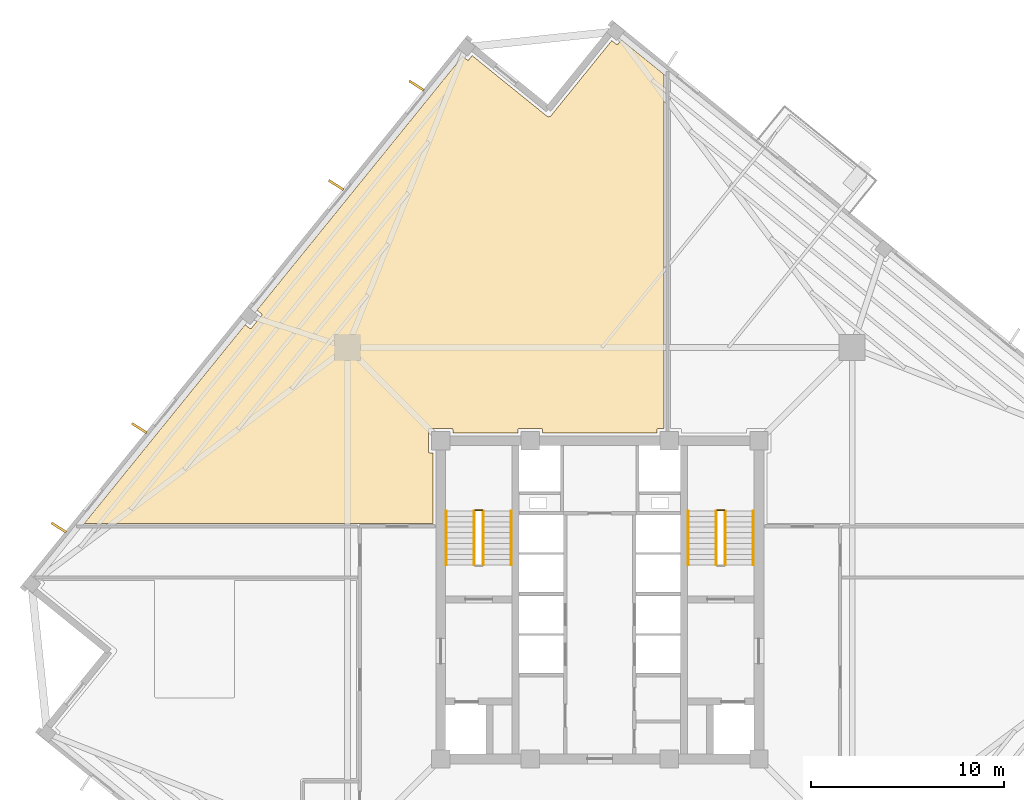
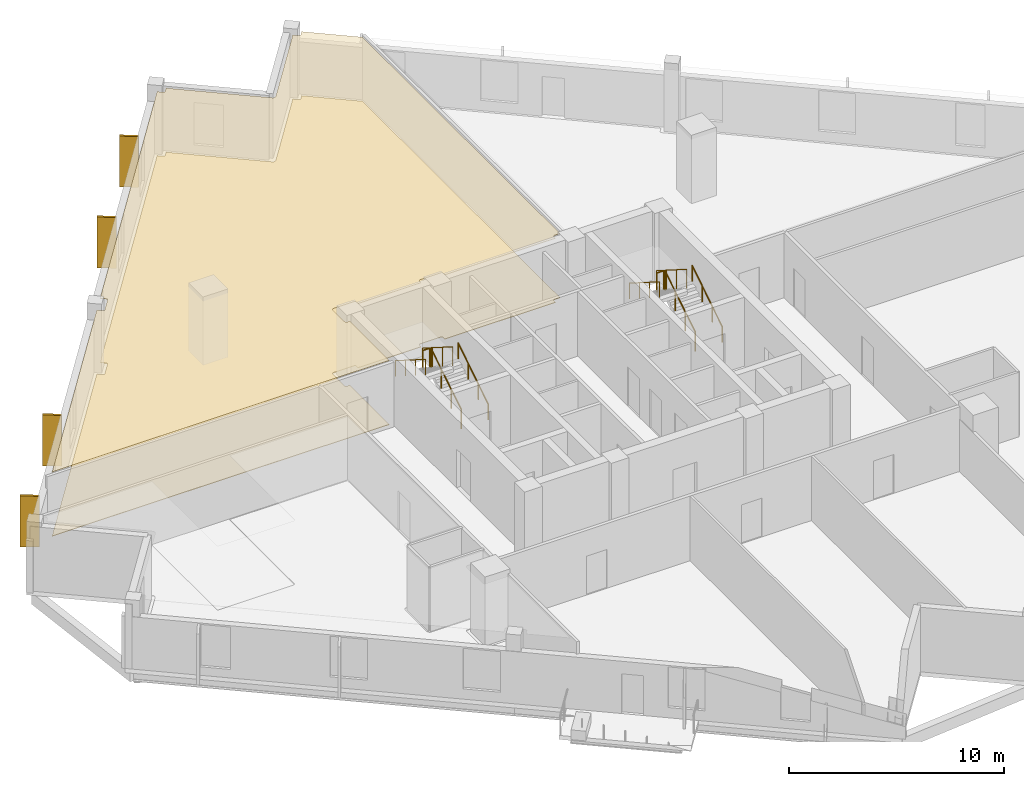
# One storey, part 9 of 10: 10 railings, 6 coverings.
"""IFC4 building model written with IfcOpenShell, lengths in metres."""

from ifc_helpers import new_model, si_unit, direction, frame, origin, origin_2d, place, context, subcontext, project, spatial, polyline, rectangle, circle, outline, extrude, source, transform, mapped, material, layer, layer_set, type_object, element, save


model = new_model("IFC4")

# Units and contexts
model_context = context("Model", 3, precision=1e-05, world=origin(), true_north=direction((0.0, 1.0)))
body_context = subcontext(model_context, "Body", "Model", "MODEL_VIEW")
ifc_project = project(units=[si_unit("LENGTHUNIT", "METRE"), si_unit("AREAUNIT", "SQUARE_METRE"), si_unit("VOLUMEUNIT", "CUBIC_METRE"), si_unit("PLANEANGLEUNIT", "RADIAN"), si_unit("MASSUNIT", "GRAM", prefix="KILO"), si_unit("THERMODYNAMICTEMPERATUREUNIT", "KELVIN")], contexts=[model_context])

# Site, building, storey
site_placement = place(None, origin())
site = spatial("IfcSite", under=ifc_project, at=site_placement, CompositionType="ELEMENT")
building_placement = place(site_placement, origin())
building = spatial("IfcBuilding", under=site, at=building_placement, Name="Kosmvard Interchange Tower", CompositionType="ELEMENT")
storey_placement = place(building_placement, frame((0.0, 0.0, 229.0)))
storey = spatial("IfcBuildingStorey", under=building, at=storey_placement, Name="L55", CompositionType="ELEMENT", Elevation=229.0)

# Coverings
ifc_material_1 = material(Name="Acoustic gypsum ceiling tile")
ifc_layer_1 = layer(ifc_material_1, 0.02490234375, Name="Acoustic gypsum ceiling tile")
ifc_layer_set_1 = layer_set([ifc_layer_1], Name="Acoustic gypsum ceiling tile")
covering_type_1 = type_object("IfcCoveringType", Name="Acoustic Perforated Suspended Ceiling 25", PredefinedType="CEILING", material=ifc_layer_set_1)
covering_1_placement = place(storey_placement, frame((0.0, 0.0, 3.635009765625)))
element("IfcCovering", 1, at=covering_1_placement, inside=storey, type_object=covering_type_1, Name="L55 Acoustic Ceiling L55-OPNW", PredefinedType="CEILING", context=body_context, shape_type="SweptSolid", body=[
    extrude(outline(polyline([(-12.061279296875, 3.955078125), (-8.655029296875, 3.955078125), (-8.655029296875, 7.614990234375), (-8.804931640625, 7.614990234375), (-8.812744140625, 7.615478515625), (-8.820556640625, 7.616455078125), (-8.828125, 7.618408203125), (-8.835693359375, 7.62109375), (-8.8427734375, 7.62451171875), (-8.849365234375, 7.62841796875), (-8.855712890625, 7.633056640625), (-8.861572265625, 7.638427734375), (-8.866943359375, 7.644287109375), (-8.87158203125, 7.650634765625), (-8.87548828125, 7.6572265625), (-8.87890625, 7.664306640625), (-8.881591796875, 7.671875), (-8.883544921875, 7.679443359375), (-8.884521484375, 7.687255859375), (-8.885009765625, 7.695068359375), (-8.885009765625, 8.804931640625), (-8.884521484375, 8.812744140625), (-8.883544921875, 8.820556640625), (-8.881591796875, 8.828125), (-8.87890625, 8.835693359375), (-8.87548828125, 8.8427734375), (-8.87158203125, 8.849365234375), (-8.866943359375, 8.855712890625), (-8.861572265625, 8.861572265625), (-8.855712890625, 8.866943359375), (-8.849365234375, 8.87158203125), (-8.8427734375, 8.87548828125), (-8.835693359375, 8.87890625), (-8.828125, 8.881591796875), (-8.820556640625, 8.883544921875), (-8.812744140625, 8.884521484375), (-8.804931640625, 8.885009765625), (-7.695068359375, 8.885009765625), (-7.687255859375, 8.884521484375), (-7.679443359375, 8.883544921875), (-7.671875, 8.881591796875), (-7.664306640625, 8.87890625), (-7.6572265625, 8.87548828125), (-7.650634765625, 8.87158203125), (-7.644287109375, 8.866943359375), (-7.638427734375, 8.861572265625), (-7.633056640625, 8.855712890625), (-7.62841796875, 8.849365234375), (-7.62451171875, 8.8427734375), (-7.62109375, 8.835693359375), (-7.618408203125, 8.828125), (-7.616455078125, 8.820556640625), (-7.615478515625, 8.812744140625), (-7.614990234375, 8.804931640625), (-7.614990234375, 8.655029296875), (-4.235107421875, 8.655029296875), (-4.235107421875, 8.804931640625), (-4.234619140625, 8.812744140625), (-4.2333984375, 8.820556640625), (-4.2314453125, 8.828125), (-4.22900390625, 8.835693359375), (-4.2255859375, 8.8427734375), (-4.221435546875, 8.849365234375), (-4.216796875, 8.855712890625), (-4.211669921875, 8.861572265625), (-4.205810546875, 8.866943359375), (-4.199462890625, 8.87158203125), (-4.192626953125, 8.87548828125), (-4.185546875, 8.87890625), (-4.17822265625, 8.881591796875), (-4.170654296875, 8.883544921875), (-4.162841796875, 8.884521484375), (-4.155029296875, 8.885009765625), (-3.044921875, 8.885009765625), (-3.037109375, 8.884521484375), (-3.029296875, 8.883544921875), (-3.021728515625, 8.881591796875), (-3.014404296875, 8.87890625), (-3.00732421875, 8.87548828125), (-3.00048828125, 8.87158203125), (-2.994140625, 8.866943359375), (-2.988525390625, 8.861572265625), (-2.983154296875, 8.855712890625), (-2.978515625, 8.849365234375), (-2.974365234375, 8.8427734375), (-2.97119140625, 8.835693359375), (-2.968505859375, 8.828125), (-2.966552734375, 8.820556640625), (-2.96533203125, 8.812744140625), (-2.965087890625, 8.804931640625), (-2.965087890625, 8.655029296875), (2.965087890625, 8.655029296875), (2.965087890625, 8.804931640625), (2.96533203125, 8.812744140625), (2.966552734375, 8.820556640625), (2.968505859375, 8.828125), (2.97119140625, 8.835693359375), (2.974365234375, 8.8427734375), (2.978515625, 8.849365234375), (2.983154296875, 8.855712890625), (2.988525390625, 8.861572265625), (2.994140625, 8.866943359375), (3.00048828125, 8.87158203125), (3.00732421875, 8.87548828125), (3.014404296875, 8.87890625), (3.021728515625, 8.881591796875), (3.029296875, 8.883544921875), (3.037109375, 8.884521484375), (3.044921875, 8.885009765625), (3.340087890625, 8.885009765625), (3.340087890625, 27.218994140625), (1.120361328125, 29.016357421875), (0.95654296875, 28.814453125), (0.951416015625, 28.80859375), (0.945556640625, 28.80322265625), (0.939453125, 28.798583984375), (0.9326171875, 28.79443359375), (0.925537109375, 28.791015625), (0.918212890625, 28.788330078125), (0.91064453125, 28.786376953125), (0.90283203125, 28.78515625), (0.89501953125, 28.78466796875), (0.88720703125, 28.784912109375), (0.87939453125, 28.7861328125), (0.871826171875, 28.7880859375), (0.8642578125, 28.79052734375), (0.857177734375, 28.7939453125), (0.8505859375, 28.7978515625), (0.84423828125, 28.802490234375), (0.62255859375, 28.98193359375), (-2.527099609375, 25.09228515625), (-2.52978515625, 25.089111328125), (-2.53466796875, 25.083740234375), (-2.5400390625, 25.078125), (-2.54541015625, 25.0732421875), (-2.551513671875, 25.068115234375), (-2.557373046875, 25.063720703125), (-2.56396484375, 25.059326171875), (-2.570068359375, 25.0556640625), (-2.5771484375, 25.0517578125), (-2.583740234375, 25.048583984375), (-2.591064453125, 25.045654296875), (-2.597900390625, 25.04296875), (-2.605224609375, 25.040771484375), (-2.6123046875, 25.038818359375), (-2.6201171875, 25.037353515625), (-2.62744140625, 25.0361328125), (-2.63525390625, 25.035400390625), (-2.642578125, 25.034912109375), (-2.650634765625, 25.034912109375), (-2.657958984375, 25.03515625), (-2.66552734375, 25.035888671875), (-2.6728515625, 25.036865234375), (-2.6806640625, 25.038330078125), (-2.687744140625, 25.040283203125), (-2.6953125, 25.04248046875), (-2.7021484375, 25.044921875), (-2.70947265625, 25.0478515625), (-2.71630859375, 25.051025390625), (-2.72314453125, 25.054443359375), (-2.7294921875, 25.058349609375), (-2.736083984375, 25.0625), (-2.741943359375, 25.06689453125), (-2.7451171875, 25.0693359375), (-6.615234375, 28.203369140625), (-6.77880859375, 28.001220703125), (-6.7841796875, 27.995361328125), (-6.7900390625, 27.990234375), (-6.796142578125, 27.9853515625), (-6.802978515625, 27.9814453125), (-6.81005859375, 27.97802734375), (-6.8173828125, 27.975341796875), (-6.824951171875, 27.973388671875), (-6.832763671875, 27.97216796875), (-6.840576171875, 27.9716796875), (-6.848388671875, 27.971923828125), (-6.856201171875, 27.97314453125), (-6.86376953125, 27.974853515625), (-6.87109375, 27.9775390625), (-6.87841796875, 27.98095703125), (-6.885009765625, 27.98486328125), (-6.891357421875, 27.989501953125), (-7.11279296875, 28.1689453125), (-17.767333984375, 15.01171875), (-17.5458984375, 14.83251953125), (-17.5400390625, 14.8271484375), (-17.53466796875, 14.8212890625), (-17.530029296875, 14.815185546875), (-17.52587890625, 14.808349609375), (-17.5224609375, 14.80126953125), (-17.519775390625, 14.7939453125), (-17.517822265625, 14.786376953125), (-17.5166015625, 14.778564453125), (-17.51611328125, 14.770751953125), (-17.5166015625, 14.762939453125), (-17.517578125, 14.755126953125), (-17.51953125, 14.74755859375), (-17.52197265625, 14.739990234375), (-17.525390625, 14.73291015625), (-17.529296875, 14.726318359375), (-17.533935546875, 14.719970703125), (-18.043701171875, 14.09033203125), (-18.049072265625, 14.08447265625), (-18.0546875, 14.079345703125), (-18.06103515625, 14.074462890625), (-18.067626953125, 14.070556640625), (-18.07470703125, 14.067138671875), (-18.082275390625, 14.064453125), (-18.08984375, 14.0625), (-18.09765625, 14.061279296875), (-18.10546875, 14.060791015625), (-18.11328125, 14.06103515625), (-18.12109375, 14.062255859375), (-18.128662109375, 14.06396484375), (-18.135986328125, 14.066650390625), (-18.14306640625, 14.070068359375), (-18.14990234375, 14.073974609375), (-18.15625, 14.07861328125), (-18.377685546875, 14.2578125), (-26.716796875, 3.9599609375), (-12.10009765625, 3.9599609375), (-12.09619140625, 3.9599609375), (-12.088623046875, 3.95947265625), (-12.080810546875, 3.958740234375), (-12.07373046875, 3.957763671875), (-12.06591796875, 3.9560546875), (-12.061279296875, 3.955078125)])), origin(), (0.0, 0.0, 1.0), 0.02490234375),
])
ifc_material_2 = material(Name="Polished terrazzo flooring")
ifc_layer_2 = layer(ifc_material_2, 0.030029296875, Name="Polished terrazzo flooring")
ifc_layer_set_2 = layer_set([ifc_layer_2], Name="Polished terrazzo flooring")
covering_type_2 = type_object("IfcCoveringType", Name="Heavy-Duty Terrazzo & Porcelain Flooring 30", PredefinedType="FLOORING", material=ifc_layer_set_2)
covering_2_placement = place(storey_placement, origin())
element("IfcCovering", 2, at=covering_2_placement, inside=storey, type_object=covering_type_2, Name="L55 Floor Finish L55-OPNW", PredefinedType="FLOORING", context=body_context, shape_type="SweptSolid", body=[
    extrude(outline(polyline([(-12.061279296875, 3.955078125), (-8.655029296875, 3.955078125), (-8.655029296875, 7.614990234375), (-8.804931640625, 7.614990234375), (-8.812744140625, 7.615478515625), (-8.820556640625, 7.616455078125), (-8.828125, 7.618408203125), (-8.835693359375, 7.62109375), (-8.8427734375, 7.62451171875), (-8.849365234375, 7.62841796875), (-8.855712890625, 7.633056640625), (-8.861572265625, 7.638427734375), (-8.866943359375, 7.644287109375), (-8.87158203125, 7.650634765625), (-8.87548828125, 7.6572265625), (-8.87890625, 7.664306640625), (-8.881591796875, 7.671875), (-8.883544921875, 7.679443359375), (-8.884521484375, 7.687255859375), (-8.885009765625, 7.695068359375), (-8.885009765625, 8.804931640625), (-8.884521484375, 8.812744140625), (-8.883544921875, 8.820556640625), (-8.881591796875, 8.828125), (-8.87890625, 8.835693359375), (-8.87548828125, 8.8427734375), (-8.87158203125, 8.849365234375), (-8.866943359375, 8.855712890625), (-8.861572265625, 8.861572265625), (-8.855712890625, 8.866943359375), (-8.849365234375, 8.87158203125), (-8.8427734375, 8.87548828125), (-8.835693359375, 8.87890625), (-8.828125, 8.881591796875), (-8.820556640625, 8.883544921875), (-8.812744140625, 8.884521484375), (-8.804931640625, 8.885009765625), (-7.695068359375, 8.885009765625), (-7.687255859375, 8.884521484375), (-7.679443359375, 8.883544921875), (-7.671875, 8.881591796875), (-7.664306640625, 8.87890625), (-7.6572265625, 8.87548828125), (-7.650634765625, 8.87158203125), (-7.644287109375, 8.866943359375), (-7.638427734375, 8.861572265625), (-7.633056640625, 8.855712890625), (-7.62841796875, 8.849365234375), (-7.62451171875, 8.8427734375), (-7.62109375, 8.835693359375), (-7.618408203125, 8.828125), (-7.616455078125, 8.820556640625), (-7.615478515625, 8.812744140625), (-7.614990234375, 8.804931640625), (-7.614990234375, 8.655029296875), (-4.235107421875, 8.655029296875), (-4.235107421875, 8.804931640625), (-4.234619140625, 8.812744140625), (-4.2333984375, 8.820556640625), (-4.2314453125, 8.828125), (-4.22900390625, 8.835693359375), (-4.2255859375, 8.8427734375), (-4.221435546875, 8.849365234375), (-4.216796875, 8.855712890625), (-4.211669921875, 8.861572265625), (-4.205810546875, 8.866943359375), (-4.199462890625, 8.87158203125), (-4.192626953125, 8.87548828125), (-4.185546875, 8.87890625), (-4.17822265625, 8.881591796875), (-4.170654296875, 8.883544921875), (-4.162841796875, 8.884521484375), (-4.155029296875, 8.885009765625), (-3.044921875, 8.885009765625), (-3.037109375, 8.884521484375), (-3.029296875, 8.883544921875), (-3.021728515625, 8.881591796875), (-3.014404296875, 8.87890625), (-3.00732421875, 8.87548828125), (-3.00048828125, 8.87158203125), (-2.994140625, 8.866943359375), (-2.988525390625, 8.861572265625), (-2.983154296875, 8.855712890625), (-2.978515625, 8.849365234375), (-2.974365234375, 8.8427734375), (-2.97119140625, 8.835693359375), (-2.968505859375, 8.828125), (-2.966552734375, 8.820556640625), (-2.96533203125, 8.812744140625), (-2.965087890625, 8.804931640625), (-2.965087890625, 8.655029296875), (2.965087890625, 8.655029296875), (2.965087890625, 8.804931640625), (2.96533203125, 8.812744140625), (2.966552734375, 8.820556640625), (2.968505859375, 8.828125), (2.97119140625, 8.835693359375), (2.974365234375, 8.8427734375), (2.978515625, 8.849365234375), (2.983154296875, 8.855712890625), (2.988525390625, 8.861572265625), (2.994140625, 8.866943359375), (3.00048828125, 8.87158203125), (3.00732421875, 8.87548828125), (3.014404296875, 8.87890625), (3.021728515625, 8.881591796875), (3.029296875, 8.883544921875), (3.037109375, 8.884521484375), (3.044921875, 8.885009765625), (3.340087890625, 8.885009765625), (3.340087890625, 27.218994140625), (1.120361328125, 29.016357421875), (0.95654296875, 28.814453125), (0.951416015625, 28.80859375), (0.945556640625, 28.80322265625), (0.939453125, 28.798583984375), (0.9326171875, 28.79443359375), (0.925537109375, 28.791015625), (0.918212890625, 28.788330078125), (0.91064453125, 28.786376953125), (0.90283203125, 28.78515625), (0.89501953125, 28.78466796875), (0.88720703125, 28.784912109375), (0.87939453125, 28.7861328125), (0.871826171875, 28.7880859375), (0.8642578125, 28.79052734375), (0.857177734375, 28.7939453125), (0.8505859375, 28.7978515625), (0.84423828125, 28.802490234375), (0.62255859375, 28.98193359375), (-2.527099609375, 25.09228515625), (-2.52978515625, 25.089111328125), (-2.53466796875, 25.083740234375), (-2.5400390625, 25.078125), (-2.54541015625, 25.0732421875), (-2.551513671875, 25.068115234375), (-2.557373046875, 25.063720703125), (-2.56396484375, 25.059326171875), (-2.570068359375, 25.0556640625), (-2.5771484375, 25.0517578125), (-2.583740234375, 25.048583984375), (-2.591064453125, 25.045654296875), (-2.597900390625, 25.04296875), (-2.605224609375, 25.040771484375), (-2.6123046875, 25.038818359375), (-2.6201171875, 25.037353515625), (-2.62744140625, 25.0361328125), (-2.63525390625, 25.035400390625), (-2.642578125, 25.034912109375), (-2.650634765625, 25.034912109375), (-2.657958984375, 25.03515625), (-2.66552734375, 25.035888671875), (-2.6728515625, 25.036865234375), (-2.6806640625, 25.038330078125), (-2.687744140625, 25.040283203125), (-2.6953125, 25.04248046875), (-2.7021484375, 25.044921875), (-2.70947265625, 25.0478515625), (-2.71630859375, 25.051025390625), (-2.72314453125, 25.054443359375), (-2.7294921875, 25.058349609375), (-2.736083984375, 25.0625), (-2.741943359375, 25.06689453125), (-2.7451171875, 25.0693359375), (-6.615234375, 28.203369140625), (-6.77880859375, 28.001220703125), (-6.7841796875, 27.995361328125), (-6.7900390625, 27.990234375), (-6.796142578125, 27.9853515625), (-6.802978515625, 27.9814453125), (-6.81005859375, 27.97802734375), (-6.8173828125, 27.975341796875), (-6.824951171875, 27.973388671875), (-6.832763671875, 27.97216796875), (-6.840576171875, 27.9716796875), (-6.848388671875, 27.971923828125), (-6.856201171875, 27.97314453125), (-6.86376953125, 27.974853515625), (-6.87109375, 27.9775390625), (-6.87841796875, 27.98095703125), (-6.885009765625, 27.98486328125), (-6.891357421875, 27.989501953125), (-7.11279296875, 28.1689453125), (-17.767333984375, 15.01171875), (-17.5458984375, 14.83251953125), (-17.5400390625, 14.8271484375), (-17.53466796875, 14.8212890625), (-17.530029296875, 14.815185546875), (-17.52587890625, 14.808349609375), (-17.5224609375, 14.80126953125), (-17.519775390625, 14.7939453125), (-17.517822265625, 14.786376953125), (-17.5166015625, 14.778564453125), (-17.51611328125, 14.770751953125), (-17.5166015625, 14.762939453125), (-17.517578125, 14.755126953125), (-17.51953125, 14.74755859375), (-17.52197265625, 14.739990234375), (-17.525390625, 14.73291015625), (-17.529296875, 14.726318359375), (-17.533935546875, 14.719970703125), (-18.043701171875, 14.09033203125), (-18.049072265625, 14.08447265625), (-18.0546875, 14.079345703125), (-18.06103515625, 14.074462890625), (-18.067626953125, 14.070556640625), (-18.07470703125, 14.067138671875), (-18.082275390625, 14.064453125), (-18.08984375, 14.0625), (-18.09765625, 14.061279296875), (-18.10546875, 14.060791015625), (-18.11328125, 14.06103515625), (-18.12109375, 14.062255859375), (-18.128662109375, 14.06396484375), (-18.135986328125, 14.066650390625), (-18.14306640625, 14.070068359375), (-18.14990234375, 14.073974609375), (-18.15625, 14.07861328125), (-18.377685546875, 14.2578125), (-26.716796875, 3.9599609375), (-12.10009765625, 3.9599609375), (-12.09619140625, 3.9599609375), (-12.088623046875, 3.95947265625), (-12.080810546875, 3.958740234375), (-12.07373046875, 3.957763671875), (-12.06591796875, 3.9560546875), (-12.061279296875, 3.955078125)])), origin(), (0.0, 0.0, 1.0), 0.030029296875),
])
ifc_material_3 = material(Name="Architectural anodised aluminium", Category="aluminium")
ifc_layer_3 = layer(ifc_material_3, 0.1201171875, Name="Architectural anodised aluminium")
ifc_layer_set_3 = layer_set([ifc_layer_3], Name="Architectural anodised aluminium")
covering_type_3 = type_object("IfcCoveringType", Name="Rotating Vertical Sun-Breaker Fin 900x120 Aluminium", PredefinedType="CLADDING", material=ifc_layer_set_3)
shared_shape_1 = source(origin(), body_context, "Body", "SweptSolid", [
    extrude(rectangle(XDim=0.89990234375, YDim=0.1201171875, at=origin_2d()), origin(), (0.0, 0.0, 1.0), 2.8798828125),
])
for number, where, z_axis, x_axis, name in (
    (3, (-9.494384765625, 26.650146484375, 0.0400390625), (0.0, 0.0, 1.0), (-0.843766346142, 0.536710679153, 0.0), "L55 Rotating Vertical Sun-Breaker Fin 09"),
    (4, (-13.66748046875, 21.49658203125, 0.0400390625), (0.0, 0.0, 1.0), (-0.843766346142, 0.536710679153, 0.0), "L55 Rotating Vertical Sun-Breaker Fin 10"),
    (5, (-23.86865234375, 8.8994140625, 0.0400390625), (0.0, 0.0, 1.0), (-0.843766346142, 0.536710679153, 0.0), "L55 Rotating Vertical Sun-Breaker Fin 11"),
    (6, (-28.041748046875, 3.74609375, 0.0400390625), (0.0, 0.0, 1.0), (-0.843766346142, 0.536710679153, 0.0), "L55 Rotating Vertical Sun-Breaker Fin 12"),
):
    element("IfcCovering", number, at=place(storey_placement, frame(where, z_axis=z_axis, x_axis=x_axis)), inside=storey, type_object=covering_type_3, Name=name, PredefinedType="CLADDING", context=body_context, shape_type="MappedRepresentation", body=[
        mapped(shared_shape_1, transform((0.0, 0.0, 0.0), scale=1.0)),
    ])

# Railings
ifc_material_4 = material(Name="Steel S355", Category="steel")
railing_type_1 = type_object("IfcRailingType", Name="Stair & Terrace Safety Guardrail 1100 Steel", PredefinedType="GUARDRAIL", material=ifc_material_4)
shared_shape_2 = source(origin(), body_context, "Body", "SweptSolid", [
    extrude(circle(Radius=0.02392578125, at=origin_2d()), frame((0.0, 0.0, 1.076171875), z_axis=(-1.0, 0.0, 0.0), x_axis=(0.0, -1.0, 0.0)), (0.0, 0.0, 1.0), 0.35986328125),
    extrude(circle(Radius=0.02099609375, at=origin_2d()), origin(), (0.0, 0.0, 1.0), 1.052001953125),
    extrude(circle(Radius=0.02099609375, at=origin_2d()), frame((-0.35986328125, 0.0, 0.0)), (0.0, 0.0, 1.0), 1.052001953125),
])
for number, where, name in (
    (7, (-6.090087890625, 4.64990234375, 1.949951171875), "L55 ST-1 stair guard 2"),
    (8, (6.449951171875, 4.64990234375, 1.949951171875), "L55 ST-2 stair guard 2"),
):
    element("IfcRailing", number, at=place(storey_placement, frame(where)), inside=storey, type_object=railing_type_1, Name=name, PredefinedType="GUARDRAIL", context=body_context, shape_type="MappedRepresentation", body=[
        mapped(shared_shape_2, transform((0.0, 0.0, 0.0), scale=1.0)),
    ])
shared_shape_3 = source(origin(), body_context, "Body", "SweptSolid", [
    extrude(circle(Radius=0.02392578125, at=origin_2d()), frame((0.0, 0.0, 1.076171875), z_axis=(0.0, 0.844908973607, 0.534910110503), x_axis=(-1.0, 0.0, 0.0)), (0.0, 0.0, 1.0), 3.31396484375),
    extrude(circle(Radius=0.02099609375, at=origin_2d()), origin(), (0.0, 0.0, 1.0), 1.052001953125),
    extrude(circle(Radius=0.02099609375, at=origin_2d()), frame((0.0, 0.933349609375, 0.5908203125)), (0.0, 0.0, 1.0), 1.052001953125),
    extrude(circle(Radius=0.02099609375, at=origin_2d()), frame((0.0, 1.86669921875, 1.181884765625)), (0.0, 0.0, 1.0), 1.052001953125),
    extrude(circle(Radius=0.02099609375, at=origin_2d()), frame((0.0, 2.800048828125, 1.772705078125)), (0.0, 0.0, 1.0), 1.052001953125),
])
for number, where, name in (
    (9, (-6.0400390625, 1.800048828125, 0.17724609375), "L55 ST-1 stair guard 1"),
    (10, (6.5, 1.800048828125, 0.17724609375), "L55 ST-2 stair guard 1"),
):
    element("IfcRailing", number, at=place(storey_placement, frame(where)), inside=storey, type_object=railing_type_1, Name=name, PredefinedType="GUARDRAIL", context=body_context, shape_type="MappedRepresentation", body=[
        mapped(shared_shape_3, transform((0.0, 0.0, 0.0), scale=1.0)),
    ])
shared_shape_4 = source(origin(), body_context, "Body", "SweptSolid", [
    extrude(circle(Radius=0.02392578125, at=origin_2d()), frame((0.0, 0.0, 1.076171875), z_axis=(0.0, -0.844908973607, 0.534910110503), x_axis=(1.0, 0.0, 0.0)), (0.0, 0.0, 1.0), 3.31396484375),
    extrude(circle(Radius=0.02099609375, at=origin_2d()), origin(), (0.0, 0.0, 1.0), 1.052001953125),
    extrude(circle(Radius=0.02099609375, at=origin_2d()), frame((0.0, -0.933349609375, 0.5908203125)), (0.0, 0.0, 1.0), 1.052001953125),
    extrude(circle(Radius=0.02099609375, at=origin_2d()), frame((0.0, -1.86669921875, 1.181884765625)), (0.0, 0.0, 1.0), 1.052001953125),
    extrude(circle(Radius=0.02099609375, at=origin_2d()), frame((0.0, -2.800048828125, 1.772705078125)), (0.0, 0.0, 1.0), 1.052001953125),
])
for number, where, name in (
    (11, (-6.5, 4.60009765625, 2.127197265625), "L55 ST-1 stair guard 3"),
    (12, (6.0400390625, 4.60009765625, 2.127197265625), "L55 ST-2 stair guard 3"),
):
    element("IfcRailing", number, at=place(storey_placement, frame(where)), inside=storey, type_object=railing_type_1, Name=name, PredefinedType="GUARDRAIL", context=body_context, shape_type="MappedRepresentation", body=[
        mapped(shared_shape_4, transform((0.0, 0.0, 0.0), scale=1.0)),
    ])
railing_type_2 = type_object("IfcRailingType", Name="Wall-Mounted Stair Handrail 900 Steel", PredefinedType="HANDRAIL", material=ifc_material_4)
shared_shape_5 = source(origin(), body_context, "Body", "SweptSolid", [
    extrude(circle(Radius=0.02392578125, at=origin_2d()), frame((0.0, 0.0, 0.8759765625), z_axis=(0.0, 0.844908973607, 0.534910110503), x_axis=(-1.0, 0.0, 0.0)), (0.0, 0.0, 1.0), 3.31396484375),
    extrude(circle(Radius=0.02099609375, at=origin_2d()), origin(), (0.0, 0.0, 1.0), 0.851806640625),
    extrude(circle(Radius=0.02099609375, at=origin_2d()), frame((0.0, 0.933349609375, 0.5908203125)), (0.0, 0.0, 1.0), 0.851806640625),
    extrude(circle(Radius=0.02099609375, at=origin_2d()), frame((0.0, 1.86669921875, 1.181884765625)), (0.0, 0.0, 1.0), 0.851806640625),
    extrude(circle(Radius=0.02099609375, at=origin_2d()), frame((0.0, 2.800048828125, 1.772705078125)), (0.0, 0.0, 1.0), 0.851806640625),
])
for number, where, name in (
    (13, (-4.590087890625, 1.800048828125, 0.17724609375), "L55 ST-1 stair handrail 1"),
    (14, (7.949951171875, 1.800048828125, 0.17724609375), "L55 ST-2 stair handrail 1"),
):
    element("IfcRailing", number, at=place(storey_placement, frame(where)), inside=storey, type_object=railing_type_2, Name=name, PredefinedType="HANDRAIL", context=body_context, shape_type="MappedRepresentation", body=[
        mapped(shared_shape_5, transform((0.0, 0.0, 0.0), scale=1.0)),
    ])
shared_shape_6 = source(origin(), body_context, "Body", "SweptSolid", [
    extrude(circle(Radius=0.02392578125, at=origin_2d()), frame((0.0, 0.0, 0.8759765625), z_axis=(0.0, -0.844908973607, 0.534910110503), x_axis=(1.0, 0.0, 0.0)), (0.0, 0.0, 1.0), 3.31396484375),
    extrude(circle(Radius=0.02099609375, at=origin_2d()), origin(), (0.0, 0.0, 1.0), 0.851806640625),
    extrude(circle(Radius=0.02099609375, at=origin_2d()), frame((0.0, -0.933349609375, 0.5908203125)), (0.0, 0.0, 1.0), 0.851806640625),
    extrude(circle(Radius=0.02099609375, at=origin_2d()), frame((0.0, -1.86669921875, 1.181884765625)), (0.0, 0.0, 1.0), 0.851806640625),
    extrude(circle(Radius=0.02099609375, at=origin_2d()), frame((0.0, -2.800048828125, 1.772705078125)), (0.0, 0.0, 1.0), 0.851806640625),
])
for number, where, name in (
    (15, (-7.949951171875, 4.60009765625, 2.127197265625), "L55 ST-1 stair handrail 2"),
    (16, (4.590087890625, 4.60009765625, 2.127197265625), "L55 ST-2 stair handrail 2"),
):
    element("IfcRailing", number, at=place(storey_placement, frame(where)), inside=storey, type_object=railing_type_2, Name=name, PredefinedType="HANDRAIL", context=body_context, shape_type="MappedRepresentation", body=[
        mapped(shared_shape_6, transform((0.0, 0.0, 0.0), scale=1.0)),
    ])

save(model, "model.ifc")
